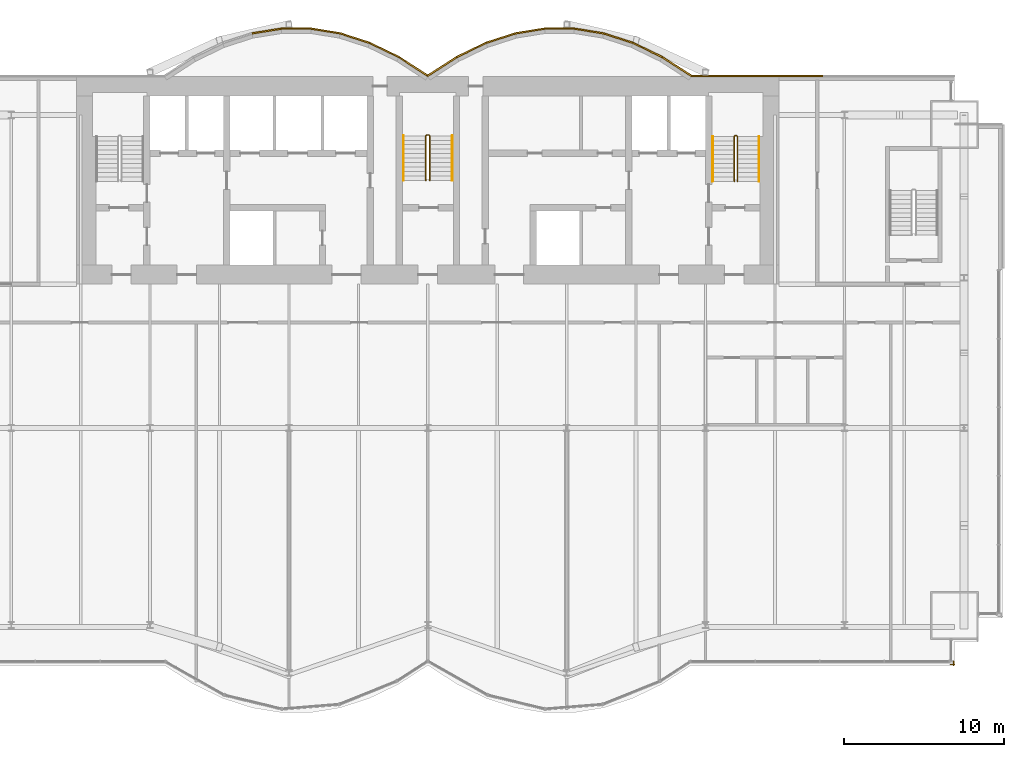
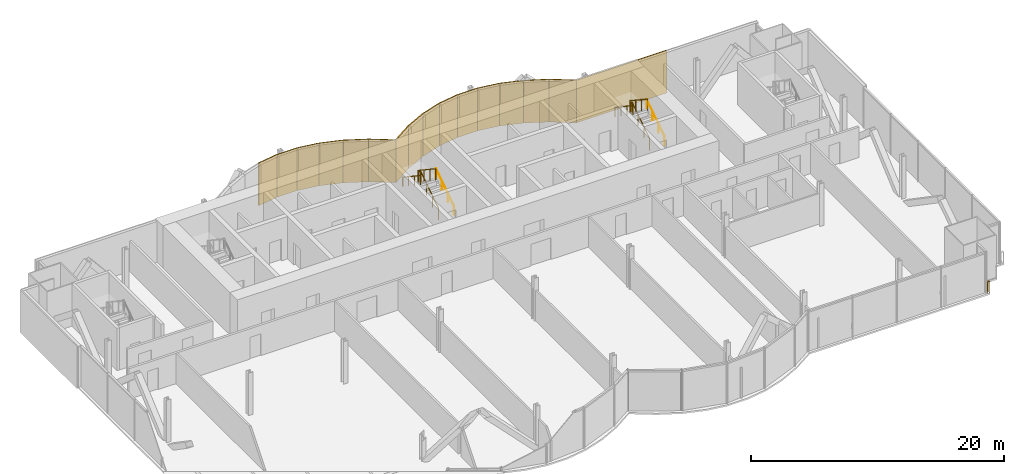
# One storey, part 20 of 21: 16 coverings, 7 railings.
"""IFC4 building model written with IfcOpenShell, lengths in metres."""

from ifc_helpers import new_model, si_unit, direction, frame, origin, origin_2d, place, context, subcontext, project, spatial, rectangle, circle, extrude, material, layer, layer_set, type_object, element, save


model = new_model("IFC4")

# Units and contexts
model_context = context("Model", 3, precision=1e-05, world=origin(), true_north=direction((0.0, 1.0)))
body_context = subcontext(model_context, "Body", "Model", "MODEL_VIEW")
ifc_project = project(units=[si_unit("LENGTHUNIT", "METRE"), si_unit("AREAUNIT", "SQUARE_METRE"), si_unit("VOLUMEUNIT", "CUBIC_METRE"), si_unit("PLANEANGLEUNIT", "RADIAN"), si_unit("MASSUNIT", "GRAM", prefix="KILO")], contexts=[model_context])

# Site, building, storey
site_placement = place(None, origin())
site = spatial("IfcSite", under=ifc_project, at=site_placement, CompositionType="ELEMENT")
building_placement = place(site_placement, origin())
building = spatial("IfcBuilding", under=site, at=building_placement, Name="Bicima Exchange Tower", CompositionType="ELEMENT")
storey_placement = place(building_placement, frame((0.0, 0.0, 126.800048828125)))
storey = spatial("IfcBuildingStorey", under=building, at=storey_placement, Name="L27", CompositionType="ELEMENT", Elevation=126.800048828125)

# Coverings
ifc_material_1 = material(Name="Bronze metal cladding")
ifc_layer_1 = layer(ifc_material_1, 0.004)
ifc_material_2 = material(Name="Ventilated cavity")
ifc_layer_2 = layer(ifc_material_2, 0.06)
ifc_material_3 = material(Name="Galvanised steel rail and mineral wool", Category="steel")
ifc_layer_3 = layer(ifc_material_3, 0.036)
ifc_layer_set = layer_set([ifc_layer_1, ifc_layer_2, ifc_layer_3], Name="Ventilated cavity")
covering_type = type_object("IfcCoveringType", Name="Bronze metal cladding panel 100", PredefinedType="CLADDING", material=ifc_layer_set)
covering_1_placement = place(storey_placement, frame((20.625, 0.050048828125, -0.150146484375), z_axis=(0.0, 0.0, 1.0), x_axis=(-1.0, 0.0, 0.0)))
element("IfcCovering", 1, at=covering_1_placement, inside=storey, type_object=covering_type, Name="Bronze cladding L27 1.2", PredefinedType="CLADDING", context=body_context, shape_type="SweptSolid", body=[
    extrude(rectangle(XDim=8.25, YDim=0.10009765625, at=origin_2d()), origin(), (0.0, 0.0, 1.0), 4.10009765625),
])
covering_2_placement = place(storey_placement, frame((15.610595703125, 0.634521484375, -0.150146484375), z_axis=(0.0, 0.0, 1.0), x_axis=(-0.839790466384, 0.542910648791, 0.0)))
element("IfcCovering", 2, at=covering_2_placement, inside=storey, type_object=covering_type, Name="Bronze cladding L27 2.1", PredefinedType="CLADDING", context=body_context, shape_type="SweptSolid", body=[
    extrude(rectangle(XDim=2.18310546875, YDim=0.10009765625, at=origin_2d()), origin(), (0.0, 0.0, 1.0), 4.10009765625),
])
covering_3_placement = place(storey_placement, frame((13.771728515625, 1.674560546875, -0.150146484375), z_axis=(0.0, 0.0, 1.0), x_axis=(-0.899818346812, 0.436264762204, 0.0)))
element("IfcCovering", 3, at=covering_3_placement, inside=storey, type_object=covering_type, Name="Bronze cladding L27 3.1", PredefinedType="CLADDING", context=body_context, shape_type="SweptSolid", body=[
    extrude(rectangle(XDim=2.03759765625, YDim=0.10009765625, at=origin_2d()), origin(), (0.0, 0.0, 1.0), 4.10009765625),
])
covering_4_placement = place(storey_placement, frame((11.931884765625, 2.41796875, -0.150146484375), z_axis=(0.0, 0.0, 1.0), x_axis=(-0.951524642381, 0.307572519808, 0.0)))
element("IfcCovering", 4, at=covering_4_placement, inside=storey, type_object=covering_type, Name="Bronze cladding L27 4.1", PredefinedType="CLADDING", context=body_context, shape_type="SweptSolid", body=[
    extrude(rectangle(XDim=1.9267578125, YDim=0.10009765625, at=origin_2d()), origin(), (0.0, 0.0, 1.0), 4.10009765625),
])
covering_5_placement = place(storey_placement, frame((10.09130859375, 2.8642578125, -0.150146484375), z_axis=(0.0, 0.0, 1.0), x_axis=(-0.987189786347, 0.159550386184, 0.0)))
element("IfcCovering", 5, at=covering_5_placement, inside=storey, type_object=covering_type, Name="Bronze cladding L27 5.1", PredefinedType="CLADDING", context=body_context, shape_type="SweptSolid", body=[
    extrude(rectangle(XDim=1.857177734375, YDim=0.10009765625, at=origin_2d()), origin(), (0.0, 0.0, 1.0), 4.10009765625),
])
covering_6_placement = place(storey_placement, frame((8.25, 3.012939453125, -0.150146484375), z_axis=(0.0, 0.0, 1.0), x_axis=(-1.0, 0.0, 0.0)))
element("IfcCovering", 6, at=covering_6_placement, inside=storey, type_object=covering_type, Name="Bronze cladding L27 6.1", PredefinedType="CLADDING", context=body_context, shape_type="SweptSolid", body=[
    extrude(rectangle(XDim=1.83349609375, YDim=0.10009765625, at=origin_2d()), origin(), (0.0, 0.0, 1.0), 4.10009765625),
])
covering_7_placement = place(storey_placement, frame((6.40869140625, 2.8642578125, -0.150146484375), z_axis=(0.0, 0.0, 1.0), x_axis=(-0.987189786347, -0.159550386184, 0.0)))
element("IfcCovering", 7, at=covering_7_placement, inside=storey, type_object=covering_type, Name="Bronze cladding L27 7.1", PredefinedType="CLADDING", context=body_context, shape_type="SweptSolid", body=[
    extrude(rectangle(XDim=1.857177734375, YDim=0.10009765625, at=origin_2d()), origin(), (0.0, 0.0, 1.0), 4.10009765625),
])
covering_8_placement = place(storey_placement, frame((4.568115234375, 2.41796875, -0.150146484375), z_axis=(0.0, 0.0, 1.0), x_axis=(-0.951524642381, -0.307572519808, 0.0)))
element("IfcCovering", 8, at=covering_8_placement, inside=storey, type_object=covering_type, Name="Bronze cladding L27 8.1", PredefinedType="CLADDING", context=body_context, shape_type="SweptSolid", body=[
    extrude(rectangle(XDim=1.9267578125, YDim=0.10009765625, at=origin_2d()), origin(), (0.0, 0.0, 1.0), 4.10009765625),
])
covering_9_placement = place(storey_placement, frame((2.728271484375, 1.674560546875, -0.150146484375), z_axis=(0.0, 0.0, 1.0), x_axis=(-0.899818346812, -0.436264762204, 0.0)))
element("IfcCovering", 9, at=covering_9_placement, inside=storey, type_object=covering_type, Name="Bronze cladding L27 9.1", PredefinedType="CLADDING", context=body_context, shape_type="SweptSolid", body=[
    extrude(rectangle(XDim=2.03759765625, YDim=0.10009765625, at=origin_2d()), origin(), (0.0, 0.0, 1.0), 4.10009765625),
])
for number, where, z_axis, x_axis, name in (
    (10, (0.889404296875, 0.634521484375, -0.150146484375), (0.0, 0.0, 1.0), (-0.839790466384, -0.542910648791, 0.0), "Bronze cladding L27 10.1"),
    (11, (-0.889404296875, 0.634521484375, -0.150146484375), (0.0, 0.0, 1.0), (-0.839790466384, 0.542910648791, 0.0), "Bronze cladding L27 11.1"),
):
    element("IfcCovering", number, at=place(storey_placement, frame(where, z_axis=z_axis, x_axis=x_axis)), inside=storey, type_object=covering_type, Name=name, PredefinedType="CLADDING", context=body_context, shape_type="SweptSolid", body=[
        extrude(rectangle(XDim=2.18310546875, YDim=0.10009765625, at=origin_2d()), origin(), (0.0, 0.0, 1.0), 4.10009765625),
    ])
covering_10_placement = place(storey_placement, frame((-2.728271484375, 1.674560546875, -0.150146484375), z_axis=(0.0, 0.0, 1.0), x_axis=(-0.899818346812, 0.436264762204, 0.0)))
element("IfcCovering", 12, at=covering_10_placement, inside=storey, type_object=covering_type, Name="Bronze cladding L27 12.1", PredefinedType="CLADDING", context=body_context, shape_type="SweptSolid", body=[
    extrude(rectangle(XDim=2.03759765625, YDim=0.10009765625, at=origin_2d()), origin(), (0.0, 0.0, 1.0), 4.10009765625),
])
covering_11_placement = place(storey_placement, frame((-4.568115234375, 2.41796875, -0.150146484375), z_axis=(0.0, 0.0, 1.0), x_axis=(-0.951524642381, 0.307572519808, 0.0)))
element("IfcCovering", 13, at=covering_11_placement, inside=storey, type_object=covering_type, Name="Bronze cladding L27 13.1", PredefinedType="CLADDING", context=body_context, shape_type="SweptSolid", body=[
    extrude(rectangle(XDim=1.9267578125, YDim=0.10009765625, at=origin_2d()), origin(), (0.0, 0.0, 1.0), 4.10009765625),
])
covering_12_placement = place(storey_placement, frame((-6.40869140625, 2.8642578125, -0.150146484375), z_axis=(0.0, 0.0, 1.0), x_axis=(-0.987189786347, 0.159550386184, 0.0)))
element("IfcCovering", 14, at=covering_12_placement, inside=storey, type_object=covering_type, Name="Bronze cladding L27 14.1", PredefinedType="CLADDING", context=body_context, shape_type="SweptSolid", body=[
    extrude(rectangle(XDim=1.857177734375, YDim=0.10009765625, at=origin_2d()), origin(), (0.0, 0.0, 1.0), 4.10009765625),
])
covering_13_placement = place(storey_placement, frame((-8.25, 3.012939453125, -0.150146484375), z_axis=(0.0, 0.0, 1.0), x_axis=(-1.0, 0.0, 0.0)))
element("IfcCovering", 15, at=covering_13_placement, inside=storey, type_object=covering_type, Name="Bronze cladding L27 15.1", PredefinedType="CLADDING", context=body_context, shape_type="SweptSolid", body=[
    extrude(rectangle(XDim=1.83349609375, YDim=0.10009765625, at=origin_2d()), origin(), (0.0, 0.0, 1.0), 4.10009765625),
])
covering_14_placement = place(storey_placement, frame((-10.09130859375, 2.8642578125, -0.150146484375), z_axis=(0.0, 0.0, 1.0), x_axis=(-0.987189786347, -0.159550386184, 0.0)))
element("IfcCovering", 16, at=covering_14_placement, inside=storey, type_object=covering_type, Name="Bronze cladding L27 16.1", PredefinedType="CLADDING", context=body_context, shape_type="SweptSolid", body=[
    extrude(rectangle(XDim=1.857177734375, YDim=0.10009765625, at=origin_2d()), origin(), (0.0, 0.0, 1.0), 4.10009765625),
])

# Railings
ifc_material_4 = material(Name="Stainless steel and bonded safety glass", Category="steel")
railing_type_1 = type_object("IfcRailingType", Name="Edge guard 1100", PredefinedType="GUARDRAIL", material=ifc_material_4)
railing_1_placement = place(storey_placement, frame((32.949951171875, -36.6259765625, 0.0)))
element("IfcRailing", 17, at=railing_1_placement, inside=storey, type_object=railing_type_1, Name="Edge guard L27 136", PredefinedType="GUARDRAIL", context=body_context, shape_type="SweptSolid", body=[
    extrude(circle(Radius=0.02392578125, at=origin_2d()), frame((0.0, 0.0, 1.076171875), z_axis=(0.0, -1.0, 0.0), x_axis=(1.0, 0.0, 0.0)), (0.0, 0.0, 1.0), 0.25),
    extrude(circle(Radius=0.02392578125, at=origin_2d()), frame((0.0, -0.25, 1.076171875), z_axis=(0.707106781187, 0.707106781187, 0.0), x_axis=(-0.707106781187, 0.707106781187, 0.0)), (0.0, 0.0, 1.0), 0.07080078125),
    extrude(circle(Radius=0.02392578125, at=origin_2d()), frame((0.050048828125, -0.199951171875, 1.076171875), z_axis=(-1.0, 0.0, 0.0), x_axis=(0.0, -1.0, 0.0)), (0.0, 0.0, 1.0), 0.25),
    extrude(circle(Radius=0.02099609375, at=origin_2d()), origin(), (0.0, 0.0, 1.0), 1.052001953125),
    extrude(circle(Radius=0.02099609375, at=origin_2d()), frame((0.0, -0.25, 0.0)), (0.0, 0.0, 1.0), 1.052001953125),
    extrude(circle(Radius=0.02099609375, at=origin_2d()), frame((0.050048828125, -0.199951171875, 0.0)), (0.0, 0.0, 1.0), 1.052001953125),
    extrude(circle(Radius=0.02099609375, at=origin_2d()), frame((-0.199951171875, -0.199951171875, 0.0)), (0.0, 0.0, 1.0), 1.052001953125),
])
ifc_material_5 = material(Name="Stainless steel", Category="steel")
railing_type_2 = type_object("IfcRailingType", Name="Stair guard 1100", PredefinedType="GUARDRAIL", material=ifc_material_5)
railing_2_placement = place(storey_placement, frame((0.125, -6.5, 0.186279296875)))
element("IfcRailing", 18, at=railing_2_placement, inside=storey, type_object=railing_type_2, Name="L27 ST-C stair guard 1", PredefinedType="GUARDRAIL", context=body_context, shape_type="SweptSolid", body=[
    extrude(circle(Radius=0.02392578125, at=origin_2d()), frame((0.0, 0.0, 1.076171875), z_axis=(0.0, 0.832452072856, 0.554097055034), x_axis=(-1.0, 0.0, 0.0)), (0.0, 0.0, 1.0), 3.363525390625),
    extrude(circle(Radius=0.02392578125, at=origin_2d()), frame((0.0, 2.800048828125, 2.93994140625), z_axis=(-0.707106781187, 0.707106781187, 0.0), x_axis=(-0.707106781187, -0.707106781187, 0.0)), (0.0, 0.0, 1.0), 0.07080078125),
    extrude(circle(Radius=0.02392578125, at=origin_2d()), frame((-0.050048828125, 2.85009765625, 2.93994140625), z_axis=(-1.0, 0.0, 0.0), x_axis=(0.0, -1.0, 0.0)), (0.0, 0.0, 1.0), 0.14990234375),
    extrude(circle(Radius=0.02392578125, at=origin_2d()), frame((-0.199951171875, 2.85009765625, 2.93994140625), z_axis=(-0.251157038772, -0.251157038772, 0.934794246747), x_axis=(0.707106781187, -0.707106781187, 0.0)), (0.0, 0.0, 1.0), 0.19921875),
    extrude(circle(Radius=0.02392578125, at=origin_2d()), frame((-0.25, 2.800048828125, 3.1259765625), z_axis=(0.0, -0.832485552168, 0.554046753832), x_axis=(1.0, 0.0, 0.0)), (0.0, 0.0, 1.0), 3.363525390625),
    extrude(circle(Radius=0.02099609375, at=origin_2d()), origin(), (0.0, 0.0, 1.0), 1.052001953125),
    extrude(circle(Radius=0.02099609375, at=origin_2d()), frame((0.0, 0.933349609375, 0.621337890625)), (0.0, 0.0, 1.0), 1.052001953125),
    extrude(circle(Radius=0.02099609375, at=origin_2d()), frame((0.0, 1.86669921875, 1.242431640625)), (0.0, 0.0, 1.0), 1.052001953125),
    extrude(circle(Radius=0.02099609375, at=origin_2d()), frame((0.0, 2.800048828125, 1.86376953125)), (0.0, 0.0, 1.0), 1.052001953125),
    extrude(circle(Radius=0.02099609375, at=origin_2d()), frame((-0.050048828125, 2.85009765625, 1.86376953125)), (0.0, 0.0, 1.0), 1.052001953125),
    extrude(circle(Radius=0.02099609375, at=origin_2d()), frame((-0.199951171875, 2.85009765625, 1.86376953125)), (0.0, 0.0, 1.0), 1.052001953125),
    extrude(circle(Radius=0.02099609375, at=origin_2d()), frame((-0.25, 2.800048828125, 2.050048828125)), (0.0, 0.0, 1.0), 1.052001953125),
    extrude(circle(Radius=0.02099609375, at=origin_2d()), frame((-0.25, 1.86669921875, 2.671142578125)), (0.0, 0.0, 1.0), 1.052001953125),
    extrude(circle(Radius=0.02099609375, at=origin_2d()), frame((-0.25, 0.933349609375, 3.29248046875)), (0.0, 0.0, 1.0), 1.052001953125),
    extrude(circle(Radius=0.02099609375, at=origin_2d()), frame((-0.25, 0.0, 3.91357421875)), (0.0, 0.0, 1.0), 1.052001953125),
])
railing_3_placement = place(storey_placement, frame((19.39990234375, -6.550048828125, 0.186279296875)))
element("IfcRailing", 19, at=railing_3_placement, inside=storey, type_object=railing_type_2, Name="L27 ST-E stair guard 1", PredefinedType="GUARDRAIL", context=body_context, shape_type="SweptSolid", body=[
    extrude(circle(Radius=0.02392578125, at=origin_2d()), frame((0.0, 0.0, 1.076171875), z_axis=(0.0, 0.832452072856, 0.554097055034), x_axis=(-1.0, 0.0, 0.0)), (0.0, 0.0, 1.0), 3.363525390625),
    extrude(circle(Radius=0.02392578125, at=origin_2d()), frame((0.0, 2.800048828125, 2.93994140625), z_axis=(-0.705375805398, 0.708833529934, 0.0), x_axis=(-0.708833529934, -0.705375805398, 0.0)), (0.0, 0.0, 1.0), 0.070556640625),
    extrude(circle(Radius=0.02392578125, at=origin_2d()), frame((-0.0498046875, 2.85009765625, 2.93994140625), z_axis=(-1.0, 0.0, 0.0), x_axis=(0.0, -1.0, 0.0)), (0.0, 0.0, 1.0), 0.10009765625),
    extrude(circle(Radius=0.02392578125, at=origin_2d()), frame((-0.14990234375, 2.85009765625, 2.93994140625), z_axis=(-0.251157038772, -0.251157038772, 0.934794246747), x_axis=(0.707106781187, -0.707106781187, 0.0)), (0.0, 0.0, 1.0), 0.19921875),
    extrude(circle(Radius=0.02392578125, at=origin_2d()), frame((-0.199951171875, 2.800048828125, 3.1259765625), z_axis=(0.0, -0.832485552168, 0.554046753832), x_axis=(1.0, 0.0, 0.0)), (0.0, 0.0, 1.0), 3.363525390625),
    extrude(circle(Radius=0.02099609375, at=origin_2d()), origin(), (0.0, 0.0, 1.0), 1.052001953125),
    extrude(circle(Radius=0.02099609375, at=origin_2d()), frame((0.0, 0.933349609375, 0.621337890625)), (0.0, 0.0, 1.0), 1.052001953125),
    extrude(circle(Radius=0.02099609375, at=origin_2d()), frame((0.0, 1.86669921875, 1.242431640625)), (0.0, 0.0, 1.0), 1.052001953125),
    extrude(circle(Radius=0.02099609375, at=origin_2d()), frame((0.0, 2.800048828125, 1.86376953125)), (0.0, 0.0, 1.0), 1.052001953125),
    extrude(circle(Radius=0.02099609375, at=origin_2d()), frame((-0.0498046875, 2.85009765625, 1.86376953125)), (0.0, 0.0, 1.0), 1.052001953125),
    extrude(circle(Radius=0.02099609375, at=origin_2d()), frame((-0.14990234375, 2.85009765625, 1.86376953125)), (0.0, 0.0, 1.0), 1.052001953125),
    extrude(circle(Radius=0.02099609375, at=origin_2d()), frame((-0.199951171875, 2.800048828125, 2.050048828125)), (0.0, 0.0, 1.0), 1.052001953125),
    extrude(circle(Radius=0.02099609375, at=origin_2d()), frame((-0.199951171875, 1.86669921875, 2.671142578125)), (0.0, 0.0, 1.0), 1.052001953125),
    extrude(circle(Radius=0.02099609375, at=origin_2d()), frame((-0.199951171875, 0.933349609375, 3.29248046875)), (0.0, 0.0, 1.0), 1.052001953125),
    extrude(circle(Radius=0.02099609375, at=origin_2d()), frame((-0.199951171875, 0.0, 3.91357421875)), (0.0, 0.0, 1.0), 1.052001953125),
])
railing_type_3 = type_object("IfcRailingType", Name="Stair handrail 900", PredefinedType="HANDRAIL", material=ifc_material_5)
railing_4_placement = place(storey_placement, frame((1.52490234375, -6.5, 0.186279296875)))
element("IfcRailing", 20, at=railing_4_placement, inside=storey, type_object=railing_type_3, Name="L27 ST-C stair handrail 1", PredefinedType="HANDRAIL", context=body_context, shape_type="SweptSolid", body=[
    extrude(circle(Radius=0.02392578125, at=origin_2d()), frame((0.0, 0.0, 0.8759765625), z_axis=(0.0, 0.832452072856, 0.554097055034), x_axis=(-1.0, 0.0, 0.0)), (0.0, 0.0, 1.0), 3.363525390625),
    extrude(circle(Radius=0.02099609375, at=origin_2d()), origin(), (0.0, 0.0, 1.0), 0.851806640625),
    extrude(circle(Radius=0.02099609375, at=origin_2d()), frame((0.0, 0.933349609375, 0.621337890625)), (0.0, 0.0, 1.0), 0.851806640625),
    extrude(circle(Radius=0.02099609375, at=origin_2d()), frame((0.0, 1.86669921875, 1.242431640625)), (0.0, 0.0, 1.0), 0.851806640625),
    extrude(circle(Radius=0.02099609375, at=origin_2d()), frame((0.0, 2.800048828125, 1.86376953125)), (0.0, 0.0, 1.0), 0.851806640625),
])
railing_5_placement = place(storey_placement, frame((-1.52490234375, -3.699951171875, 2.276611328125)))
element("IfcRailing", 21, at=railing_5_placement, inside=storey, type_object=railing_type_3, Name="L27 ST-C stair handrail 2", PredefinedType="HANDRAIL", context=body_context, shape_type="SweptSolid", body=[
    extrude(circle(Radius=0.02392578125, at=origin_2d()), frame((0.0, 0.0, 0.8759765625), z_axis=(0.0, -0.832452072856, 0.554097055034), x_axis=(1.0, 0.0, 0.0)), (0.0, 0.0, 1.0), 3.363525390625),
    extrude(circle(Radius=0.02099609375, at=origin_2d()), origin(), (0.0, 0.0, 1.0), 0.851806640625),
    extrude(circle(Radius=0.02099609375, at=origin_2d()), frame((0.0, -0.933349609375, 0.621337890625)), (0.0, 0.0, 1.0), 0.851806640625),
    extrude(circle(Radius=0.02099609375, at=origin_2d()), frame((0.0, -1.86669921875, 1.242431640625)), (0.0, 0.0, 1.0), 0.851806640625),
    extrude(circle(Radius=0.02099609375, at=origin_2d()), frame((0.0, -2.800048828125, 1.86376953125)), (0.0, 0.0, 1.0), 0.851806640625),
])
railing_6_placement = place(storey_placement, frame((20.75, -6.550048828125, 0.186279296875)))
element("IfcRailing", 22, at=railing_6_placement, inside=storey, type_object=railing_type_3, Name="L27 ST-E stair handrail 1", PredefinedType="HANDRAIL", context=body_context, shape_type="SweptSolid", body=[
    extrude(circle(Radius=0.02392578125, at=origin_2d()), frame((0.0, 0.0, 0.8759765625), z_axis=(0.0, 0.832452072856, 0.554097055034), x_axis=(-1.0, 0.0, 0.0)), (0.0, 0.0, 1.0), 3.363525390625),
    extrude(circle(Radius=0.02099609375, at=origin_2d()), origin(), (0.0, 0.0, 1.0), 0.851806640625),
    extrude(circle(Radius=0.02099609375, at=origin_2d()), frame((0.0, 0.933349609375, 0.621337890625)), (0.0, 0.0, 1.0), 0.851806640625),
    extrude(circle(Radius=0.02099609375, at=origin_2d()), frame((0.0, 1.86669921875, 1.242431640625)), (0.0, 0.0, 1.0), 0.851806640625),
    extrude(circle(Radius=0.02099609375, at=origin_2d()), frame((0.0, 2.800048828125, 1.86376953125)), (0.0, 0.0, 1.0), 0.851806640625),
])
railing_7_placement = place(storey_placement, frame((17.85009765625, -3.75, 2.276611328125)))
element("IfcRailing", 23, at=railing_7_placement, inside=storey, type_object=railing_type_3, Name="L27 ST-E stair handrail 2", PredefinedType="HANDRAIL", context=body_context, shape_type="SweptSolid", body=[
    extrude(circle(Radius=0.02392578125, at=origin_2d()), frame((0.0, 0.0, 0.8759765625), z_axis=(0.0, -0.832452072856, 0.554097055034), x_axis=(1.0, 0.0, 0.0)), (0.0, 0.0, 1.0), 3.363525390625),
    extrude(circle(Radius=0.02099609375, at=origin_2d()), origin(), (0.0, 0.0, 1.0), 0.851806640625),
    extrude(circle(Radius=0.02099609375, at=origin_2d()), frame((0.0, -0.933349609375, 0.621337890625)), (0.0, 0.0, 1.0), 0.851806640625),
    extrude(circle(Radius=0.02099609375, at=origin_2d()), frame((0.0, -1.86669921875, 1.242431640625)), (0.0, 0.0, 1.0), 0.851806640625),
    extrude(circle(Radius=0.02099609375, at=origin_2d()), frame((0.0, -2.800048828125, 1.86376953125)), (0.0, 0.0, 1.0), 0.851806640625),
])

save(model, "model.ifc")
